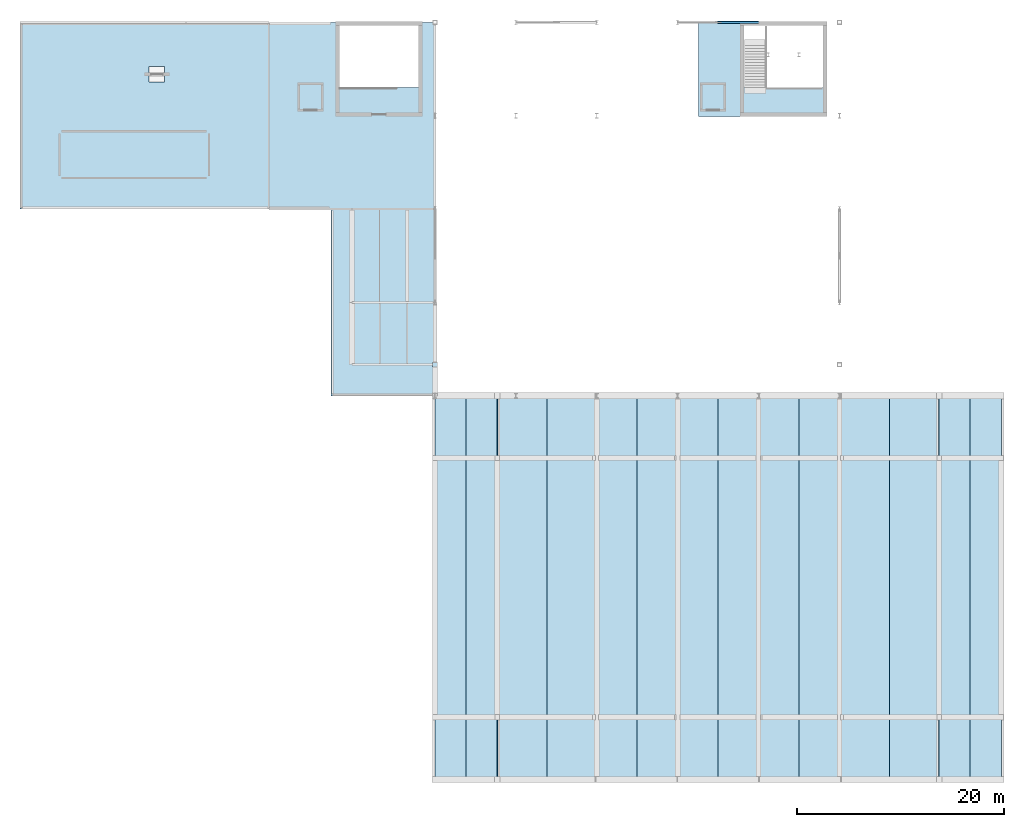
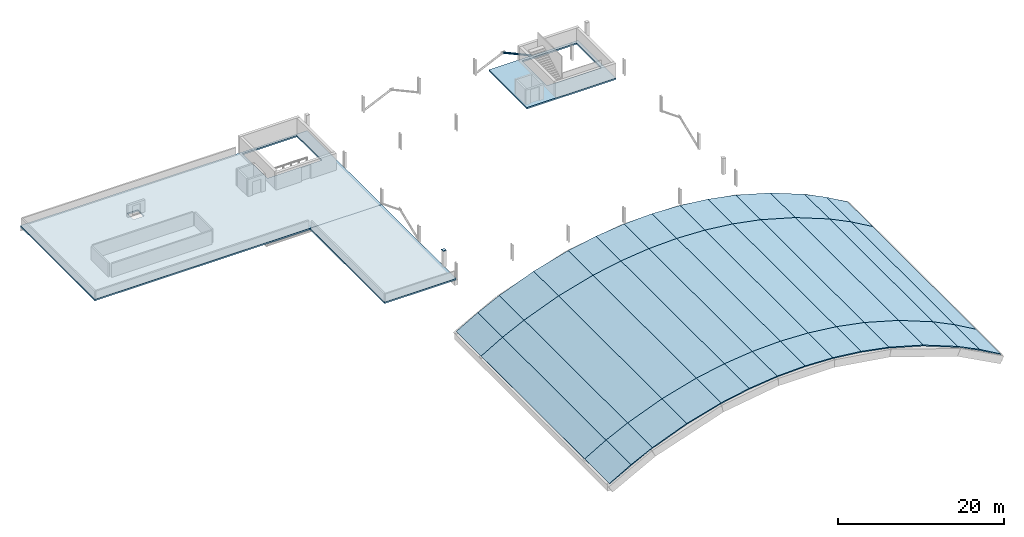
# One storey, part 6 of 12: 45 slabs, 1 member, 1 plate.
"""IFC4 building model written with IfcOpenShell, lengths in metres."""

import ifcopenshell
import ifcopenshell.guid

model = None  # the IFC model being written
_history = None  # IfcOwnerHistory: only IFC2X3 demands one
_inside = {}  # id of a spatial element -> (the spatial element, [elements in it])
_under = {}  # id of a project, library or spatial element -> (it, [spatial elements below it])
_declared = {}  # id of a project -> (the project, [libraries it declares])
_typed = {}  # id of a type object -> (the type object, [elements of that type])
_made_of = {}  # id of a material, layer set ... -> (it, [elements and type objects made of it])


def new_model(schema):
    """Start an empty IFC model of exactly this schema.

    Asked for "IFC4X3", IfcOpenShell would pick the latest addendum, in which some entities
    have other attributes; the version numbers below select the first issue.
    IFC2X3 requires an IfcOwnerHistory on every rooted entity: one is made here for all.
    """
    global model, _history
    if schema == "IFC4X3":
        model = ifcopenshell.file(schema_version=(4, 3, 0, 0))
    else:
        model = ifcopenshell.file(schema=schema)
    _inside.clear()
    _under.clear()
    _declared.clear()
    _typed.clear()
    _made_of.clear()
    _history = None
    if model.schema == "IFC2X3":
        org = make("IfcOrganization", Name="unknown")
        user = make(
            "IfcPersonAndOrganization",
            ThePerson=make("IfcPerson", FamilyName="unknown"),
            TheOrganization=org,
        )
        app = make(
            "IfcApplication",
            ApplicationDeveloper=org,
            Version="unknown",
            ApplicationFullName="unknown",
            ApplicationIdentifier="unknown",
        )
        _history = make(
            "IfcOwnerHistory",
            OwningUser=user,
            OwningApplication=app,
            ChangeAction="ADDED",
            CreationDate=0,
        )
    return model


def make(cls, **values):
    """One entity of the class cls with the attributes given. An attribute that is None is left unset."""
    return model.create_entity(
        cls, **{name: value for name, value in values.items() if value is not None}
    )


def rooted(cls, **values):
    """An entity with a GlobalId (a new one), such as an element, a storey or a relation."""
    return make(cls, GlobalId=ifcopenshell.guid.new(), OwnerHistory=_history, **values)


def si_unit(unit_type, name, prefix=None):
    """IfcSIUnit, for example si_unit("LENGTHUNIT", "METRE", prefix="MILLI")."""
    return make("IfcSIUnit", UnitType=unit_type, Prefix=prefix, Name=name)


def derived_unit(unit_type, elements):
    """IfcDerivedUnit: a product of units, each with its exponent."""
    return make(
        "IfcDerivedUnit",
        Elements=[
            make("IfcDerivedUnitElement", Unit=unit, Exponent=power)
            for unit, power in elements
        ],
        UnitType=unit_type,
    )


def assignment(units):
    """IfcUnitAssignment: the units of a project."""
    return None if units is None else make("IfcUnitAssignment", Units=units)


def point(xyz):
    """IfcCartesianPoint."""
    return None if xyz is None else make("IfcCartesianPoint", Coordinates=xyz)


def direction(xyz):
    """IfcDirection."""
    return None if xyz is None else make("IfcDirection", DirectionRatios=xyz)


def frame(location, z_axis=None, x_axis=None):
    """IfcAxis2Placement3D, a coordinate frame: its origin and axes. An axis left out is left unset."""
    return make(
        "IfcAxis2Placement3D",
        Location=point(location),
        Axis=direction(z_axis),
        RefDirection=direction(x_axis),
    )


def frame_2d(location, x_axis=None):
    """IfcAxis2Placement2D, a coordinate frame in the plane: its origin and x axis."""
    return make(
        "IfcAxis2Placement2D", Location=point(location), RefDirection=direction(x_axis)
    )


def origin():
    """The frame at (0, 0, 0) with its axes left unset."""
    return frame((0.0, 0.0, 0.0))


def origin_2d():
    """The frame at (0, 0) in the plane with its x axis left unset."""
    return frame_2d((0.0, 0.0))


def place(relative_to, where):
    """IfcLocalPlacement: puts the frame where relative to a parent placement (None: the world)."""
    return make(
        "IfcLocalPlacement", PlacementRelTo=relative_to, RelativePlacement=where
    )


def context(
    kind, dimensions, precision=None, world=None, true_north=None, identifier=None
):
    """IfcGeometricRepresentationContext, for example the 3D "Model" context."""
    return make(
        "IfcGeometricRepresentationContext",
        ContextIdentifier=identifier,
        ContextType=kind,
        CoordinateSpaceDimension=dimensions,
        Precision=precision,
        WorldCoordinateSystem=world,
        TrueNorth=true_north,
    )


def subcontext(parent, identifier, kind, view, scale=None):
    """IfcGeometricRepresentationSubContext, for example "Body" below "Model"."""
    return make(
        "IfcGeometricRepresentationSubContext",
        ContextIdentifier=identifier,
        ContextType=kind,
        ParentContext=parent,
        TargetScale=scale,
        TargetView=view,
    )


def project(units=None, contexts=None):
    """IfcProject with its units and contexts."""
    return rooted(
        "IfcProject",
        Name="project",
        RepresentationContexts=contexts,
        UnitsInContext=assignment(units),
    )


def spatial(cls, under=None, at=None, **own):
    """A site, building, storey or space (cls), placed at a placement, below another one or the project."""
    s = rooted(cls, ObjectPlacement=at, **own)
    if under is not None:
        _under.setdefault(under.id(), (under, []))[1].append(s)
    return s


def polyline(points):
    """IfcPolyline through the points."""
    return make("IfcPolyline", Points=[point(p) for p in points])


def profile(cls, at=None, kind="AREA", **sizes):
    """A parametric profile (cls). Its sizes go by their IFC names, for example OverallWidth=200.0."""
    return make(cls, ProfileType=kind, Position=at, **sizes)


def rectangle(**sizes):
    """IfcRectangleProfileDef."""
    return profile("IfcRectangleProfileDef", **sizes)


def hollow_circle(**sizes):
    """IfcCircleHollowProfileDef."""
    return profile("IfcCircleHollowProfileDef", **sizes)


def outline(outer, holes=None, kind="AREA"):
    """IfcArbitraryClosedProfileDef: a profile drawn as a closed curve; with holes, ...WithVoids."""
    if holes is None:
        return make("IfcArbitraryClosedProfileDef", ProfileType=kind, OuterCurve=outer)
    return make(
        "IfcArbitraryProfileDefWithVoids",
        ProfileType=kind,
        OuterCurve=outer,
        InnerCurves=holes,
    )


def extrude(swept, where, along, depth):
    """IfcExtrudedAreaSolid: the profile swept, set in the frame where, extruded along a direction by depth."""
    return make(
        "IfcExtrudedAreaSolid",
        SweptArea=swept,
        Position=where,
        ExtrudedDirection=direction(along),
        Depth=depth,
    )


def shape(context_of_items, identifier, shape_type, items):
    """IfcShapeRepresentation: the items that make up one representation, for example the "Body"."""
    return make(
        "IfcShapeRepresentation",
        ContextOfItems=context_of_items,
        RepresentationIdentifier=identifier,
        RepresentationType=shape_type,
        Items=items,
    )


def material(Name=None, Category=None):
    """IfcMaterial."""
    return make("IfcMaterial", Name=Name, Category=Category)


def layer(
    of_material, thickness, ventilated=None, Name=None, Category=None, Priority=None
):
    """IfcMaterialLayer: one layer of a wall or slab, of a material (None: an air gap)."""
    return make(
        "IfcMaterialLayer",
        Material=of_material,
        LayerThickness=thickness,
        IsVentilated=ventilated,
        Name=Name,
        Category=Category,
        Priority=Priority,
    )


def layer_set(layers, Name=None):
    """IfcMaterialLayerSet."""
    return make("IfcMaterialLayerSet", MaterialLayers=layers, LayerSetName=Name)


def material_profile(
    of_material, cross_section, Name=None, Category=None, Priority=None
):
    """IfcMaterialProfile: a cross section and its material."""
    return make(
        "IfcMaterialProfile",
        Name=Name,
        Material=of_material,
        Profile=cross_section,
        Priority=Priority,
        Category=Category,
    )


def profile_set(profiles, Name=None, composite=None):
    """IfcMaterialProfileSet."""
    return make(
        "IfcMaterialProfileSet",
        Name=Name,
        MaterialProfiles=profiles,
        CompositeProfile=composite,
    )


def made_of(thing, what):
    """Note that an element or type object is made of a material, layer set ...; save() writes the relation."""
    if what is not None:
        _made_of.setdefault(what.id(), (what, []))[1].append(thing)
    return thing


def type_object(cls, material=None, **own):
    """A type object (cls), such as IfcWallType, which elements share."""
    return made_of(rooted(cls, **own), material)


def element(
    cls,
    number,
    at=None,
    inside=None,
    cuts=None,
    type_object=None,
    material=None,
    context=None,
    identifier="Body",
    shape_type=None,
    held_by="IfcProductDefinitionShape",
    body=None,
    shapes=None,
    **own,
):
    """One element of the class cls, such as IfcWall. Its Tag is "e" and its number.

    at: its placement. inside: the storey or other place that contains it. cuts: it is an
    opening in that element (IfcRelVoidsElement). A single representation is given by context,
    identifier, shape_type and body (its items); several are given by shapes. held_by: the class
    of the entity that holds the representations. save() writes the other relations.
    """
    e = rooted(cls, Tag="e%d" % number, ObjectPlacement=at, **own)
    if body is not None:
        shapes = [shape(context, identifier, shape_type, body)]
    if shapes is not None:
        e.Representation = make(held_by, Representations=shapes)
    if inside is not None:
        _inside.setdefault(inside.id(), (inside, []))[1].append(e)
    if cuts is not None:
        rooted(
            "IfcRelVoidsElement", RelatingBuildingElement=cuts, RelatedOpeningElement=e
        )
    if type_object is not None:
        _typed.setdefault(type_object.id(), (type_object, []))[1].append(e)
    return made_of(e, material)


def aggregate(whole, parts):
    """IfcRelAggregates: a whole, such as a stair, and the parts it consists of."""
    return rooted("IfcRelAggregates", RelatingObject=whole, RelatedObjects=parts)


def save(model, path):
    """Write the relations noted so far, then the file.

    IfcRelAggregates (storeys below a building ...), IfcRelContainedInSpatialStructure (elements
    in a storey), IfcRelDefinesByType, IfcRelAssociatesMaterial and IfcRelDeclares: one each for
    every whole, place, type object, material and project.
    """
    for whole, parts in _under.values():
        aggregate(whole, parts)
    for where, things in _inside.values():
        rooted(
            "IfcRelContainedInSpatialStructure",
            RelatedElements=things,
            RelatingStructure=where,
        )
    for kind, things in _typed.values():
        rooted("IfcRelDefinesByType", RelatedObjects=things, RelatingType=kind)
    for what, things in _made_of.values():
        rooted("IfcRelAssociatesMaterial", RelatedObjects=things, RelatingMaterial=what)
    for by, libraries in _declared.values():
        rooted("IfcRelDeclares", RelatingContext=by, RelatedDefinitions=libraries)
    model.write(path)


model = new_model("IFC4")

# Units and contexts
model_context = context("Model", 3, precision=1e-05, world=origin(), true_north=direction((0.0, 1.0)))
body_context = subcontext(model_context, "Body", "Model", "MODEL_VIEW")
ifc_project = project(units=[si_unit("LENGTHUNIT", "METRE"), si_unit("AREAUNIT", "SQUARE_METRE"), si_unit("VOLUMEUNIT", "CUBIC_METRE"), si_unit("PLANEANGLEUNIT", "RADIAN"), si_unit("MASSUNIT", "GRAM", prefix="KILO"), derived_unit("THERMALTRANSMITTANCEUNIT", [(si_unit("POWERUNIT", "WATT"), 1), (si_unit("LENGTHUNIT", "METRE"), -2), (si_unit("THERMODYNAMICTEMPERATUREUNIT", "KELVIN"), -1)])], contexts=[model_context])

# Site, building, storey
site_placement = place(None, origin())
site = spatial("IfcSite", under=ifc_project, at=site_placement, CompositionType="ELEMENT")
building_placement = place(site_placement, origin())
building = spatial("IfcBuilding", under=site, at=building_placement, Name="Nallur Shell Playhouse", CompositionType="ELEMENT")
storey_placement = place(building_placement, frame((0.0, 0.0, 28.800048828125)))
storey = spatial("IfcBuildingStorey", under=building, at=storey_placement, Name="RF1", CompositionType="ELEMENT", Elevation=28.800048828125)

# Member
ifc_material_1 = material(Name="Steel E350", Category="steel")
ifc_material_profile = material_profile(ifc_material_1, hollow_circle(Radius=0.136474609375, WallThickness=0.011962890625, at=origin_2d()), Name="CHS 273.0x12")
ifc_profile_set = profile_set([ifc_material_profile], Name="Steel E350")
member_type = type_object("IfcMemberType", Name="MB-FT-BRACE3", PredefinedType="BRACE", material=ifc_profile_set)
member_placement = place(storey_placement, frame((95.199951171875, 83.0, 0.14990234375), z_axis=(-0.909719805906, 0.0, 0.41522268091), x_axis=(0.0, -1.0, 0.0)))
element("IfcMember", 1, at=member_placement, inside=storey, type_object=member_type, Name="Stage fly tower concentric brace BR-FT-RF1-056", PredefinedType="BRACE", context=body_context, shape_type="SweptSolid", body=[
    extrude(hollow_circle(Radius=0.136474609375, WallThickness=0.011962890625, at=origin_2d()), origin(), (0.0, 0.0, 1.0), 4.286865234375),
])

# Plate
ifc_layer_1 = layer(ifc_material_1, 0.02001953125)
ifc_layer_set_1 = layer_set([ifc_layer_1], Name="Steel E350")
plate_type = type_object("IfcPlateType", Name="PT-ENDCAP-20", PredefinedType="SHEET", material=ifc_layer_set_1)
plate_placement = place(storey_placement, frame((64.0, 50.0, 2.39990234375), z_axis=(0.0, 0.0, 1.0), x_axis=(1.0, 0.0, 0.0)))
element("IfcPlate", 2, at=plate_placement, inside=storey, type_object=plate_type, Name="Hollow end cap EC-COL-RF1-8-F", PredefinedType="SHEET", context=body_context, shape_type="SweptSolid", body=[
    extrude(rectangle(XDim=0.449951171875, YDim=0.449951171875, at=origin_2d()), origin(), (0.0, 0.0, 1.0), 0.02001953125),
])

# Slabs
ifc_material_2 = material(Name="Concrete M35", Category="concrete")
ifc_layer_2 = layer(ifc_material_2, 0.219970703125)
ifc_layer_set_2 = layer_set([ifc_layer_2], Name="Concrete M35")
slab_type_1 = type_object("IfcSlabType", Name="SL-FLATROOF-220", PredefinedType="ROOF", material=ifc_layer_set_2)
slab_1_placement = place(storey_placement, frame((0.0, 0.0, -0.219970703125)))
element("IfcSlab", 3, at=slab_1_placement, inside=storey, type_object=slab_type_1, Name="RF1 Production & Drama Wing roof slab", PredefinedType="ROOF", context=body_context, shape_type="SweptSolid", body=[
    extrude(outline(polyline([(24.0, 65.0), (24.0, 83.0), (64.0, 83.0), (64.0, 65.0), (24.0, 65.0)]), holes=[polyline([(37.949951171875, 77.25), (37.949951171875, 78.75), (36.449951171875, 78.75), (36.449951171875, 77.25), (37.949951171875, 77.25)]), polyline([(54.800048828125, 82.699951171875), (54.800048828125, 76.699951171875), (62.39990234375, 76.699951171875), (62.39990234375, 82.699951171875), (54.800048828125, 82.699951171875)])]), origin(), (0.0, 0.0, 1.0), 0.219970703125),
])
slab_2_placement = place(storey_placement, frame((0.0, 0.0, -0.219970703125)))
element("IfcSlab", 4, at=slab_2_placement, inside=storey, type_object=slab_type_1, Name="RF1 West Stage Side roof slab", PredefinedType="ROOF", context=body_context, shape_type="SweptSolid", body=[
    extrude(outline(polyline([(54.0, 47.0), (54.0, 65.0), (64.0, 65.0), (64.0, 47.0), (54.0, 47.0)])), origin(), (0.0, 0.0, 1.0), 0.219970703125),
])
slab_3_placement = place(storey_placement, frame((0.0, 0.0, -0.219970703125)))
element("IfcSlab", 5, at=slab_3_placement, inside=storey, type_object=slab_type_1, Name="RF1 JC-4 & FL-2 Landing roof deck", PredefinedType="ROOF", context=body_context, shape_type="SweptSolid", body=[
    extrude(outline(polyline([(89.39990234375, 73.89990234375), (89.39990234375, 83.10009765625), (101.800048828125, 83.10009765625), (101.800048828125, 73.89990234375), (89.39990234375, 73.89990234375)]), holes=[polyline([(93.800048828125, 82.699951171875), (93.800048828125, 76.699951171875), (101.39990234375, 76.699951171875), (101.39990234375, 82.699951171875), (93.800048828125, 82.699951171875)])]), origin(), (0.0, 0.0, 1.0), 0.219970703125),
])
ifc_layer_3 = layer(ifc_material_2, 0.14990234375)
ifc_layer_set_3 = layer_set([ifc_layer_3], Name="Concrete M35")
slab_type_2 = type_object("IfcSlabType", Name="SL-SHELL-150", PredefinedType="ROOF", material=ifc_layer_set_3)
slab_4_placement = place(storey_placement, frame((64.0, 10.0, -7.800048828125), z_axis=(-0.499551557557, 0.0, 0.866284157389), x_axis=(0.866284157389, 0.0, 0.499551557557)))
element("IfcSlab", 6, at=slab_4_placement, inside=storey, type_object=slab_type_2, Name="Main Theatre Concrete M35 barrel shell facet 1.1", PredefinedType="ROOF", context=body_context, shape_type="SweptSolid", body=[
    extrude(outline(polyline([(0.0, 0.0), (3.463066909872876, 0.0), (3.463066909872876, 6.0), (0.0, 6.0), (0.0, 0.0)])), origin(), (0.0, 0.0, -1.0), 0.14990234375),
])
slab_5_placement = place(storey_placement, frame((64.0, 16.0, -7.800048828125), z_axis=(-0.499551557557, 0.0, 0.866284157389), x_axis=(0.866284157389, 0.0, 0.499551557557)))
element("IfcSlab", 7, at=slab_5_placement, inside=storey, type_object=slab_type_2, Name="Main Theatre Concrete M35 barrel shell facet 1.2", PredefinedType="ROOF", context=body_context, shape_type="SweptSolid", body=[
    extrude(outline(polyline([(0.0, 0.0), (3.463066909872876, 0.0), (3.463066909872876, 25.0), (0.0, 25.0), (0.0, 0.0)])), origin(), (0.0, 0.0, -1.0), 0.14990234375),
])
slab_6_placement = place(storey_placement, frame((64.0, 41.0, -7.800048828125), z_axis=(-0.499551557557, 0.0, 0.866284157389), x_axis=(0.866284157389, 0.0, 0.499551557557)))
element("IfcSlab", 8, at=slab_6_placement, inside=storey, type_object=slab_type_2, Name="Main Theatre Concrete M35 barrel shell facet 1.3", PredefinedType="ROOF", context=body_context, shape_type="SweptSolid", body=[
    extrude(outline(polyline([(0.0, 0.0), (3.463066909872876, 0.0), (3.463066909872876, 6.0), (0.0, 6.0), (0.0, 0.0)])), origin(), (0.0, 0.0, -1.0), 0.14990234375),
])
slab_7_placement = place(storey_placement, frame((67.0, 10.0, -6.070068359375), z_axis=(-0.441479657489, 0.0, 0.897271258886), x_axis=(0.897271258886, 0.0, 0.441479657489)))
element("IfcSlab", 9, at=slab_7_placement, inside=storey, type_object=slab_type_2, Name="Main Theatre Concrete M35 barrel shell facet 2.1", PredefinedType="ROOF", context=body_context, shape_type="SweptSolid", body=[
    extrude(outline(polyline([(0.0, 0.0), (3.343470517180976, 0.0), (3.343470517180976, 6.0), (0.0, 6.0), (0.0, 0.0)])), origin(), (0.0, 0.0, -1.0), 0.14990234375),
])
slab_8_placement = place(storey_placement, frame((67.0, 16.0, -6.070068359375), z_axis=(-0.441479657489, 0.0, 0.897271258886), x_axis=(0.897271258886, 0.0, 0.441479657489)))
element("IfcSlab", 10, at=slab_8_placement, inside=storey, type_object=slab_type_2, Name="Main Theatre Concrete M35 barrel shell facet 2.2", PredefinedType="ROOF", context=body_context, shape_type="SweptSolid", body=[
    extrude(outline(polyline([(0.0, 0.0), (3.343470517180976, 0.0), (3.343470517180976, 25.0), (0.0, 25.0), (0.0, 0.0)])), origin(), (0.0, 0.0, -1.0), 0.14990234375),
])
slab_9_placement = place(storey_placement, frame((67.0, 41.0, -6.070068359375), z_axis=(-0.441479657489, 0.0, 0.897271258886), x_axis=(0.897271258886, 0.0, 0.441479657489)))
element("IfcSlab", 11, at=slab_9_placement, inside=storey, type_object=slab_type_2, Name="Main Theatre Concrete M35 barrel shell facet 2.3", PredefinedType="ROOF", context=body_context, shape_type="SweptSolid", body=[
    extrude(outline(polyline([(0.0, 0.0), (3.343470517180976, 0.0), (3.343470517180976, 6.0), (0.0, 6.0), (0.0, 0.0)])), origin(), (0.0, 0.0, -1.0), 0.14990234375),
])
slab_10_placement = place(storey_placement, frame((70.0, 10.0, -4.593994140625), z_axis=(-0.366186793289, 0.0, 0.930541365239), x_axis=(0.930541365239, 0.0, 0.366186793289)))
element("IfcSlab", 12, at=slab_10_placement, inside=storey, type_object=slab_type_2, Name="Main Theatre Concrete M35 barrel shell facet 3.1", PredefinedType="ROOF", context=body_context, shape_type="SweptSolid", body=[
    extrude(outline(polyline([(0.0, 0.0), (5.158340088290885, 0.0), (5.158340088290885, 6.0), (0.0, 6.0), (0.0, 0.0)])), origin(), (0.0, 0.0, -1.0), 0.14990234375),
])
slab_11_placement = place(storey_placement, frame((70.0, 16.0, -4.593994140625), z_axis=(-0.366186793289, 0.0, 0.930541365239), x_axis=(0.930541365239, 0.0, 0.366186793289)))
element("IfcSlab", 13, at=slab_11_placement, inside=storey, type_object=slab_type_2, Name="Main Theatre Concrete M35 barrel shell facet 3.2", PredefinedType="ROOF", context=body_context, shape_type="SweptSolid", body=[
    extrude(outline(polyline([(0.0, 0.0), (5.158340088290885, 0.0), (5.158340088290885, 25.0), (0.0, 25.0), (0.0, 0.0)])), origin(), (0.0, 0.0, -1.0), 0.14990234375),
])
slab_12_placement = place(storey_placement, frame((70.0, 41.0, -4.593994140625), z_axis=(-0.366186793289, 0.0, 0.930541365239), x_axis=(0.930541365239, 0.0, 0.366186793289)))
element("IfcSlab", 14, at=slab_12_placement, inside=storey, type_object=slab_type_2, Name="Main Theatre Concrete M35 barrel shell facet 3.3", PredefinedType="ROOF", context=body_context, shape_type="SweptSolid", body=[
    extrude(outline(polyline([(0.0, 0.0), (5.158340088290885, 0.0), (5.158340088290885, 6.0), (0.0, 6.0), (0.0, 0.0)])), origin(), (0.0, 0.0, -1.0), 0.14990234375),
])
slab_13_placement = place(storey_placement, frame((74.800048828125, 10.0, -2.705078125), z_axis=(-0.27316338939, 0.0, 0.961967651585), x_axis=(0.961967651585, 0.0, 0.27316338939)))
element("IfcSlab", 15, at=slab_13_placement, inside=storey, type_object=slab_type_2, Name="Main Theatre Concrete M35 barrel shell facet 4.1", PredefinedType="ROOF", context=body_context, shape_type="SweptSolid", body=[
    extrude(outline(polyline([(0.0, 0.0), (4.989823535348474, 0.0), (4.989823535348474, 6.0), (0.0, 6.0), (0.0, 0.0)])), origin(), (0.0, 0.0, -1.0), 0.14990234375),
])
slab_14_placement = place(storey_placement, frame((74.800048828125, 16.0, -2.705078125), z_axis=(-0.27316338939, 0.0, 0.961967651585), x_axis=(0.961967651585, 0.0, 0.27316338939)))
element("IfcSlab", 16, at=slab_14_placement, inside=storey, type_object=slab_type_2, Name="Main Theatre Concrete M35 barrel shell facet 4.2", PredefinedType="ROOF", context=body_context, shape_type="SweptSolid", body=[
    extrude(outline(polyline([(0.0, 0.0), (4.989823535348474, 0.0), (4.989823535348474, 25.0), (0.0, 25.0), (0.0, 0.0)])), origin(), (0.0, 0.0, -1.0), 0.14990234375),
])
slab_15_placement = place(storey_placement, frame((74.800048828125, 41.0, -2.705078125), z_axis=(-0.27316338939, 0.0, 0.961967651585), x_axis=(0.961967651585, 0.0, 0.27316338939)))
element("IfcSlab", 17, at=slab_15_placement, inside=storey, type_object=slab_type_2, Name="Main Theatre Concrete M35 barrel shell facet 4.3", PredefinedType="ROOF", context=body_context, shape_type="SweptSolid", body=[
    extrude(outline(polyline([(0.0, 0.0), (4.989823535348474, 0.0), (4.989823535348474, 6.0), (0.0, 6.0), (0.0, 0.0)])), origin(), (0.0, 0.0, -1.0), 0.14990234375),
])
slab_16_placement = place(storey_placement, frame((79.60009765625, 10.0, -1.342041015625), z_axis=(-0.188851953866, 0.0, 0.982005570005), x_axis=(0.982005570005, 0.0, 0.188851953866)))
element("IfcSlab", 18, at=slab_16_placement, inside=storey, type_object=slab_type_2, Name="Main Theatre Concrete M35 barrel shell facet 5.1", PredefinedType="ROOF", context=body_context, shape_type="SweptSolid", body=[
    extrude(outline(polyline([(0.0, 0.0), (3.9713647894378505, 0.0), (3.9713647894378505, 5.999999999999999), (0.0, 5.999999999999999), (0.0, 0.0)])), origin(), (0.0, 0.0, -1.0), 0.14990234375),
])
slab_17_placement = place(storey_placement, frame((79.60009765625, 16.0, -1.342041015625), z_axis=(-0.188851953866, 0.0, 0.982005570005), x_axis=(0.982005570005, 0.0, 0.188851953866)))
element("IfcSlab", 19, at=slab_17_placement, inside=storey, type_object=slab_type_2, Name="Main Theatre Concrete M35 barrel shell facet 5.2", PredefinedType="ROOF", context=body_context, shape_type="SweptSolid", body=[
    extrude(outline(polyline([(0.0, 0.0), (3.9713647894378505, 0.0), (3.9713647894378505, 25.0), (0.0, 25.0), (0.0, 0.0)])), origin(), (0.0, 0.0, -1.0), 0.14990234375),
])
slab_18_placement = place(storey_placement, frame((79.60009765625, 41.0, -1.342041015625), z_axis=(-0.188851953866, 0.0, 0.982005570005), x_axis=(0.982005570005, 0.0, 0.188851953866)))
element("IfcSlab", 20, at=slab_18_placement, inside=storey, type_object=slab_type_2, Name="Main Theatre Concrete M35 barrel shell facet 5.3", PredefinedType="ROOF", context=body_context, shape_type="SweptSolid", body=[
    extrude(outline(polyline([(0.0, 0.0), (3.9713647894378505, 0.0), (3.9713647894378505, 5.999999999999999), (0.0, 5.999999999999999), (0.0, 0.0)])), origin(), (0.0, 0.0, -1.0), 0.14990234375),
])
slab_19_placement = place(storey_placement, frame((83.5, 10.0, -0.592041015625), z_axis=(-0.113264160555, 0.0, 0.993564909774), x_axis=(0.993564909774, 0.0, 0.113264160555)))
element("IfcSlab", 21, at=slab_19_placement, inside=storey, type_object=slab_type_2, Name="Main Theatre Concrete M35 barrel shell facet 6.1", PredefinedType="ROOF", context=body_context, shape_type="SweptSolid", body=[
    extrude(outline(polyline([(0.0, 0.0), (3.92516110964281, 0.0), (3.92516110964281, 6.000000000000002), (0.0, 6.000000000000002), (0.0, 0.0)])), origin(), (0.0, 0.0, -1.0), 0.14990234375),
])
slab_20_placement = place(storey_placement, frame((83.5, 16.0, -0.592041015625), z_axis=(-0.113264160555, 0.0, 0.993564909774), x_axis=(0.993564909774, 0.0, 0.113264160555)))
element("IfcSlab", 22, at=slab_20_placement, inside=storey, type_object=slab_type_2, Name="Main Theatre Concrete M35 barrel shell facet 6.2", PredefinedType="ROOF", context=body_context, shape_type="SweptSolid", body=[
    extrude(outline(polyline([(0.0, 0.0), (3.92516110964281, 0.0), (3.92516110964281, 25.0), (0.0, 25.0), (0.0, 0.0)])), origin(), (0.0, 0.0, -1.0), 0.14990234375),
])
slab_21_placement = place(storey_placement, frame((83.5, 41.0, -0.592041015625), z_axis=(-0.113264160555, 0.0, 0.993564909774), x_axis=(0.993564909774, 0.0, 0.113264160555)))
element("IfcSlab", 23, at=slab_21_placement, inside=storey, type_object=slab_type_2, Name="Main Theatre Concrete M35 barrel shell facet 6.3", PredefinedType="ROOF", context=body_context, shape_type="SweptSolid", body=[
    extrude(outline(polyline([(0.0, 0.0), (3.92516110964281, 0.0), (3.92516110964281, 6.000000000000002), (0.0, 6.000000000000002), (0.0, 0.0)])), origin(), (0.0, 0.0, -1.0), 0.14990234375),
])
slab_22_placement = place(storey_placement, frame((87.39990234375, 10.0, -0.1474609375), z_axis=(-0.037782081088, 0.0, 0.999286002278), x_axis=(0.999286002278, 0.0, 0.037782081088)))
element("IfcSlab", 24, at=slab_22_placement, inside=storey, type_object=slab_type_2, Name="Main Theatre Concrete M35 barrel shell facet 7.1", PredefinedType="ROOF", context=body_context, shape_type="SweptSolid", body=[
    extrude(outline(polyline([(0.0, 0.0), (3.9029331697674574, 0.0), (3.9029331697674574, 6.0), (0.0, 6.0), (0.0, 0.0)])), origin(), (0.0, 0.0, -1.0), 0.14990234375),
])
slab_23_placement = place(storey_placement, frame((87.39990234375, 16.0, -0.1474609375), z_axis=(-0.037782081088, 0.0, 0.999286002278), x_axis=(0.999286002278, 0.0, 0.037782081088)))
element("IfcSlab", 25, at=slab_23_placement, inside=storey, type_object=slab_type_2, Name="Main Theatre Concrete M35 barrel shell facet 7.2", PredefinedType="ROOF", context=body_context, shape_type="SweptSolid", body=[
    extrude(outline(polyline([(0.0, 0.0), (3.9029331697674574, 0.0), (3.9029331697674574, 25.0), (0.0, 25.0), (0.0, 0.0)])), origin(), (0.0, 0.0, -1.0), 0.14990234375),
])
slab_24_placement = place(storey_placement, frame((87.39990234375, 41.0, -0.1474609375), z_axis=(-0.037782081088, 0.0, 0.999286002278), x_axis=(0.999286002278, 0.0, 0.037782081088)))
element("IfcSlab", 26, at=slab_24_placement, inside=storey, type_object=slab_type_2, Name="Main Theatre Concrete M35 barrel shell facet 7.3", PredefinedType="ROOF", context=body_context, shape_type="SweptSolid", body=[
    extrude(outline(polyline([(0.0, 0.0), (3.9029331697674574, 0.0), (3.9029331697674574, 6.0), (0.0, 6.0), (0.0, 0.0)])), origin(), (0.0, 0.0, -1.0), 0.14990234375),
])
slab_25_placement = place(storey_placement, frame((91.300048828125, 10.0, 0.0), z_axis=(0.037784442935, 0.0, 0.999285912976), x_axis=(0.999285912976, 0.0, -0.037784442935)))
element("IfcSlab", 27, at=slab_25_placement, inside=storey, type_object=slab_type_2, Name="Main Theatre Concrete M35 barrel shell facet 8.1", PredefinedType="ROOF", context=body_context, shape_type="SweptSolid", body=[
    extrude(outline(polyline([(0.0, 0.0), (3.9026892034692082, 0.0), (3.9026892034692082, 6.0), (0.0, 6.0), (0.0, 0.0)])), origin(), (0.0, 0.0, -1.0), 0.14990234375),
])
slab_26_placement = place(storey_placement, frame((91.300048828125, 16.0, 0.0), z_axis=(0.037784442935, 0.0, 0.999285912976), x_axis=(0.999285912976, 0.0, -0.037784442935)))
element("IfcSlab", 28, at=slab_26_placement, inside=storey, type_object=slab_type_2, Name="Main Theatre Concrete M35 barrel shell facet 8.2", PredefinedType="ROOF", context=body_context, shape_type="SweptSolid", body=[
    extrude(outline(polyline([(0.0, 0.0), (3.9026892034692082, 0.0), (3.9026892034692082, 25.0), (0.0, 25.0), (0.0, 0.0)])), origin(), (0.0, 0.0, -1.0), 0.14990234375),
])
slab_27_placement = place(storey_placement, frame((91.300048828125, 41.0, 0.0), z_axis=(0.037784442935, 0.0, 0.999285912976), x_axis=(0.999285912976, 0.0, -0.037784442935)))
element("IfcSlab", 29, at=slab_27_placement, inside=storey, type_object=slab_type_2, Name="Main Theatre Concrete M35 barrel shell facet 8.3", PredefinedType="ROOF", context=body_context, shape_type="SweptSolid", body=[
    extrude(outline(polyline([(0.0, 0.0), (3.9026892034692082, 0.0), (3.9026892034692082, 6.0), (0.0, 6.0), (0.0, 0.0)])), origin(), (0.0, 0.0, -1.0), 0.14990234375),
])
slab_28_placement = place(storey_placement, frame((95.199951171875, 10.0, -0.1474609375), z_axis=(0.113257161415, 0.0, 0.993565707635), x_axis=(0.993565707635, 0.0, -0.113257161415)))
element("IfcSlab", 30, at=slab_28_placement, inside=storey, type_object=slab_type_2, Name="Main Theatre Concrete M35 barrel shell facet 9.1", PredefinedType="ROOF", context=body_context, shape_type="SweptSolid", body=[
    extrude(outline(polyline([(0.0, 0.0), (3.9254036792982587, 0.0), (3.9254036792982587, 6.0), (0.0, 6.0), (0.0, 0.0)])), origin(), (0.0, 0.0, -1.0), 0.14990234375),
])
slab_29_placement = place(storey_placement, frame((95.199951171875, 16.0, -0.1474609375), z_axis=(0.113257161415, 0.0, 0.993565707635), x_axis=(0.993565707635, 0.0, -0.113257161415)))
element("IfcSlab", 31, at=slab_29_placement, inside=storey, type_object=slab_type_2, Name="Main Theatre Concrete M35 barrel shell facet 9.2", PredefinedType="ROOF", context=body_context, shape_type="SweptSolid", body=[
    extrude(outline(polyline([(0.0, 0.0), (3.9254036792982587, 0.0), (3.9254036792982587, 25.0), (0.0, 25.0), (0.0, 0.0)])), origin(), (0.0, 0.0, -1.0), 0.14990234375),
])
slab_30_placement = place(storey_placement, frame((95.199951171875, 41.0, -0.1474609375), z_axis=(0.113257161415, 0.0, 0.993565707635), x_axis=(0.993565707635, 0.0, -0.113257161415)))
element("IfcSlab", 32, at=slab_30_placement, inside=storey, type_object=slab_type_2, Name="Main Theatre Concrete M35 barrel shell facet 9.3", PredefinedType="ROOF", context=body_context, shape_type="SweptSolid", body=[
    extrude(outline(polyline([(0.0, 0.0), (3.9254036792982587, 0.0), (3.9254036792982587, 6.0), (0.0, 6.0), (0.0, 0.0)])), origin(), (0.0, 0.0, -1.0), 0.14990234375),
])
slab_31_placement = place(storey_placement, frame((99.10009765625, 10.0, -0.592041015625), z_axis=(0.188851953866, 0.0, 0.982005570005), x_axis=(0.982005570005, 0.0, -0.188851953866)))
element("IfcSlab", 33, at=slab_31_placement, inside=storey, type_object=slab_type_2, Name="Main Theatre Concrete M35 barrel shell facet 10.1", PredefinedType="ROOF", context=body_context, shape_type="SweptSolid", body=[
    extrude(outline(polyline([(0.0, 0.0), (3.9713647894378505, 0.0), (3.9713647894378505, 5.999999999999999), (0.0, 5.999999999999999), (0.0, 0.0)])), origin(), (0.0, 0.0, -1.0), 0.14990234375),
])
slab_32_placement = place(storey_placement, frame((99.10009765625, 16.0, -0.592041015625), z_axis=(0.188851953866, 0.0, 0.982005570005), x_axis=(0.982005570005, 0.0, -0.188851953866)))
element("IfcSlab", 34, at=slab_32_placement, inside=storey, type_object=slab_type_2, Name="Main Theatre Concrete M35 barrel shell facet 10.2", PredefinedType="ROOF", context=body_context, shape_type="SweptSolid", body=[
    extrude(outline(polyline([(0.0, 0.0), (3.9713647894378505, 0.0), (3.9713647894378505, 25.0), (0.0, 25.0), (0.0, 0.0)])), origin(), (0.0, 0.0, -1.0), 0.14990234375),
])
slab_33_placement = place(storey_placement, frame((99.10009765625, 41.0, -0.592041015625), z_axis=(0.188851953866, 0.0, 0.982005570005), x_axis=(0.982005570005, 0.0, -0.188851953866)))
element("IfcSlab", 35, at=slab_33_placement, inside=storey, type_object=slab_type_2, Name="Main Theatre Concrete M35 barrel shell facet 10.3", PredefinedType="ROOF", context=body_context, shape_type="SweptSolid", body=[
    extrude(outline(polyline([(0.0, 0.0), (3.9713647894378505, 0.0), (3.9713647894378505, 5.999999999999999), (0.0, 5.999999999999999), (0.0, 0.0)])), origin(), (0.0, 0.0, -1.0), 0.14990234375),
])
slab_34_placement = place(storey_placement, frame((103.0, 10.0, -1.342041015625), z_axis=(0.27316338939, 0.0, 0.961967651585), x_axis=(0.961967651585, 0.0, -0.27316338939)))
element("IfcSlab", 36, at=slab_34_placement, inside=storey, type_object=slab_type_2, Name="Main Theatre Concrete M35 barrel shell facet 11.1", PredefinedType="ROOF", context=body_context, shape_type="SweptSolid", body=[
    extrude(outline(polyline([(0.0, 0.0), (4.989823535348474, 0.0), (4.989823535348474, 6.0), (0.0, 6.0), (0.0, 0.0)])), origin(), (0.0, 0.0, -1.0), 0.14990234375),
])
slab_35_placement = place(storey_placement, frame((103.0, 16.0, -1.342041015625), z_axis=(0.27316338939, 0.0, 0.961967651585), x_axis=(0.961967651585, 0.0, -0.27316338939)))
element("IfcSlab", 37, at=slab_35_placement, inside=storey, type_object=slab_type_2, Name="Main Theatre Concrete M35 barrel shell facet 11.2", PredefinedType="ROOF", context=body_context, shape_type="SweptSolid", body=[
    extrude(outline(polyline([(0.0, 0.0), (4.989823535348474, 0.0), (4.989823535348474, 25.0), (0.0, 25.0), (0.0, 0.0)])), origin(), (0.0, 0.0, -1.0), 0.14990234375),
])
slab_36_placement = place(storey_placement, frame((103.0, 41.0, -1.342041015625), z_axis=(0.27316338939, 0.0, 0.961967651585), x_axis=(0.961967651585, 0.0, -0.27316338939)))
element("IfcSlab", 38, at=slab_36_placement, inside=storey, type_object=slab_type_2, Name="Main Theatre Concrete M35 barrel shell facet 11.3", PredefinedType="ROOF", context=body_context, shape_type="SweptSolid", body=[
    extrude(outline(polyline([(0.0, 0.0), (4.989823535348474, 0.0), (4.989823535348474, 6.0), (0.0, 6.0), (0.0, 0.0)])), origin(), (0.0, 0.0, -1.0), 0.14990234375),
])
slab_37_placement = place(storey_placement, frame((107.800048828125, 10.0, -2.705078125), z_axis=(0.366186793289, 0.0, 0.930541365239), x_axis=(0.930541365239, 0.0, -0.366186793289)))
element("IfcSlab", 39, at=slab_37_placement, inside=storey, type_object=slab_type_2, Name="Main Theatre Concrete M35 barrel shell facet 12.1", PredefinedType="ROOF", context=body_context, shape_type="SweptSolid", body=[
    extrude(outline(polyline([(0.0, 0.0), (5.158340088290885, 0.0), (5.158340088290885, 6.0), (0.0, 6.0), (0.0, 0.0)])), origin(), (0.0, 0.0, -1.0), 0.14990234375),
])
slab_38_placement = place(storey_placement, frame((107.800048828125, 16.0, -2.705078125), z_axis=(0.366186793289, 0.0, 0.930541365239), x_axis=(0.930541365239, 0.0, -0.366186793289)))
element("IfcSlab", 40, at=slab_38_placement, inside=storey, type_object=slab_type_2, Name="Main Theatre Concrete M35 barrel shell facet 12.2", PredefinedType="ROOF", context=body_context, shape_type="SweptSolid", body=[
    extrude(outline(polyline([(0.0, 0.0), (5.158340088290885, 0.0), (5.158340088290885, 25.0), (0.0, 25.0), (0.0, 0.0)])), origin(), (0.0, 0.0, -1.0), 0.14990234375),
])
slab_39_placement = place(storey_placement, frame((107.800048828125, 41.0, -2.705078125), z_axis=(0.366186793289, 0.0, 0.930541365239), x_axis=(0.930541365239, 0.0, -0.366186793289)))
element("IfcSlab", 41, at=slab_39_placement, inside=storey, type_object=slab_type_2, Name="Main Theatre Concrete M35 barrel shell facet 12.3", PredefinedType="ROOF", context=body_context, shape_type="SweptSolid", body=[
    extrude(outline(polyline([(0.0, 0.0), (5.158340088290885, 0.0), (5.158340088290885, 6.0), (0.0, 6.0), (0.0, 0.0)])), origin(), (0.0, 0.0, -1.0), 0.14990234375),
])
slab_40_placement = place(storey_placement, frame((112.60009765625, 10.0, -4.593994140625), z_axis=(0.441479657489, 0.0, 0.897271258886), x_axis=(0.897271258886, 0.0, -0.441479657489)))
element("IfcSlab", 42, at=slab_40_placement, inside=storey, type_object=slab_type_2, Name="Main Theatre Concrete M35 barrel shell facet 13.1", PredefinedType="ROOF", context=body_context, shape_type="SweptSolid", body=[
    extrude(outline(polyline([(0.0, 0.0), (3.343470517180976, 0.0), (3.343470517180976, 6.0), (0.0, 6.0), (0.0, 0.0)])), origin(), (0.0, 0.0, -1.0), 0.14990234375),
])
slab_41_placement = place(storey_placement, frame((112.60009765625, 16.0, -4.593994140625), z_axis=(0.441479657489, 0.0, 0.897271258886), x_axis=(0.897271258886, 0.0, -0.441479657489)))
element("IfcSlab", 43, at=slab_41_placement, inside=storey, type_object=slab_type_2, Name="Main Theatre Concrete M35 barrel shell facet 13.2", PredefinedType="ROOF", context=body_context, shape_type="SweptSolid", body=[
    extrude(outline(polyline([(0.0, 0.0), (3.343470517180976, 0.0), (3.343470517180976, 25.0), (0.0, 25.0), (0.0, 0.0)])), origin(), (0.0, 0.0, -1.0), 0.14990234375),
])
slab_42_placement = place(storey_placement, frame((112.60009765625, 41.0, -4.593994140625), z_axis=(0.441479657489, 0.0, 0.897271258886), x_axis=(0.897271258886, 0.0, -0.441479657489)))
element("IfcSlab", 44, at=slab_42_placement, inside=storey, type_object=slab_type_2, Name="Main Theatre Concrete M35 barrel shell facet 13.3", PredefinedType="ROOF", context=body_context, shape_type="SweptSolid", body=[
    extrude(outline(polyline([(0.0, 0.0), (3.343470517180976, 0.0), (3.343470517180976, 6.0), (0.0, 6.0), (0.0, 0.0)])), origin(), (0.0, 0.0, -1.0), 0.14990234375),
])
slab_43_placement = place(storey_placement, frame((115.60009765625, 10.0, -6.070068359375), z_axis=(0.499551557557, 0.0, 0.866284157389), x_axis=(0.866284157389, 0.0, -0.499551557557)))
element("IfcSlab", 45, at=slab_43_placement, inside=storey, type_object=slab_type_2, Name="Main Theatre Concrete M35 barrel shell facet 14.1", PredefinedType="ROOF", context=body_context, shape_type="SweptSolid", body=[
    extrude(outline(polyline([(0.0, 0.0), (3.463066909872876, 0.0), (3.463066909872876, 6.0), (0.0, 6.0), (0.0, 0.0)])), origin(), (0.0, 0.0, -1.0), 0.14990234375),
])
slab_44_placement = place(storey_placement, frame((115.60009765625, 16.0, -6.070068359375), z_axis=(0.499551557557, 0.0, 0.866284157389), x_axis=(0.866284157389, 0.0, -0.499551557557)))
element("IfcSlab", 46, at=slab_44_placement, inside=storey, type_object=slab_type_2, Name="Main Theatre Concrete M35 barrel shell facet 14.2", PredefinedType="ROOF", context=body_context, shape_type="SweptSolid", body=[
    extrude(outline(polyline([(0.0, 0.0), (3.463066909872876, 0.0), (3.463066909872876, 25.0), (0.0, 25.0), (0.0, 0.0)])), origin(), (0.0, 0.0, -1.0), 0.14990234375),
])
slab_45_placement = place(storey_placement, frame((115.60009765625, 41.0, -6.070068359375), z_axis=(0.499551557557, 0.0, 0.866284157389), x_axis=(0.866284157389, 0.0, -0.499551557557)))
element("IfcSlab", 47, at=slab_45_placement, inside=storey, type_object=slab_type_2, Name="Main Theatre Concrete M35 barrel shell facet 14.3", PredefinedType="ROOF", context=body_context, shape_type="SweptSolid", body=[
    extrude(outline(polyline([(0.0, 0.0), (3.463066909872876, 0.0), (3.463066909872876, 6.0), (0.0, 6.0), (0.0, 0.0)])), origin(), (0.0, 0.0, -1.0), 0.14990234375),
])

save(model, "model.ifc")
